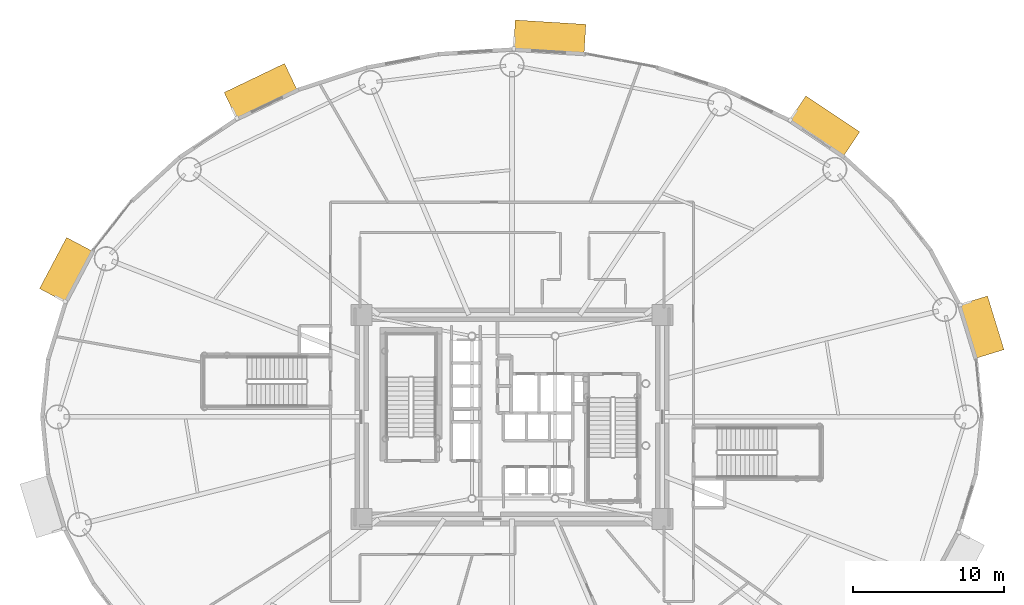
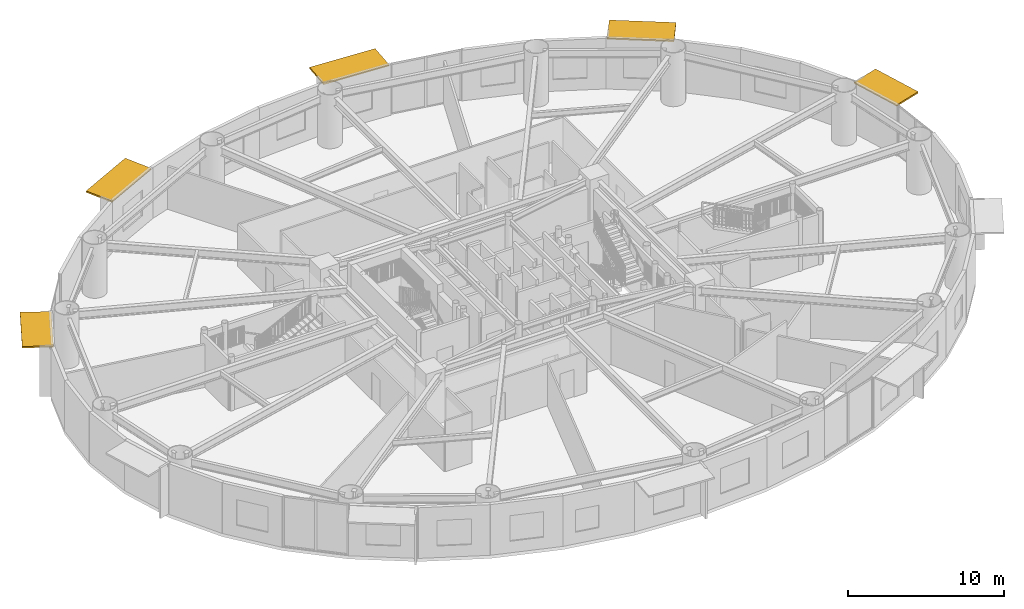
# One storey, part 28 of 28: 5 shading devices.
"""IFC4 building model written with IfcOpenShell, lengths in metres."""

from ifc_helpers import new_model, si_unit, direction, frame, origin, origin_2d, place, context, subcontext, project, spatial, rectangle, extrude, source, transform, mapped, material, layer, layer_set, type_object, element, save


model = new_model("IFC4")

# Units and contexts
model_context = context("Model", 3, precision=1e-05, world=origin(), true_north=direction((0.0, 1.0)))
body_context = subcontext(model_context, "Body", "Model", "MODEL_VIEW")
ifc_project = project(units=[si_unit("LENGTHUNIT", "METRE"), si_unit("AREAUNIT", "SQUARE_METRE"), si_unit("VOLUMEUNIT", "CUBIC_METRE"), si_unit("PLANEANGLEUNIT", "RADIAN"), si_unit("MASSUNIT", "GRAM", prefix="KILO")], contexts=[model_context])

# Site, building, storey
site_placement = place(None, origin())
site = spatial("IfcSite", under=ifc_project, at=site_placement, CompositionType="ELEMENT")
building_placement = place(site_placement, origin())
building = spatial("IfcBuilding", under=site, at=building_placement, Name="Linh Dai School and Residence Tower", CompositionType="ELEMENT")
storey_placement = place(building_placement, frame((0.0, 0.0, 36.60009765625)))
storey = spatial("IfcBuildingStorey", under=building, at=storey_placement, Name="L08", CompositionType="ELEMENT", Elevation=36.60009765625)

# Shading devices
ifc_material = material(Name="Terracotta Ceramic Sunshade", Category="masonry")
ifc_layer = layer(ifc_material, 0.1201171875)
ifc_layer_set = layer_set([ifc_layer], Name="Terracotta Ceramic Sunshade")
shading_device_type = type_object("IfcShadingDeviceType", Name="SHD-TC-2000", PredefinedType="USERDEFINED", material=ifc_layer_set)
shared_shape_1 = source(origin(), body_context, "Body", "SweptSolid", [
    extrude(rectangle(XDim=3.7197265625, YDim=2.0, at=origin_2d()), origin(), (0.0, 0.0, 1.0), 0.1201171875),
])
shading_device_1_placement = place(storey_placement, frame((67.043212890625, 32.9306640625, 3.809814453125), z_axis=(0.0, 0.0, 1.0), x_axis=(0.293145733514, -0.956067769001, 0.0)))
element("IfcShadingDevice", 1, at=shading_device_1_placement, inside=storey, type_object=shading_device_type, Name="L08 Terracotta Horizontal Sunshade Band 02", ObjectType="SUNSHADE", PredefinedType="USERDEFINED", context=body_context, shape_type="MappedRepresentation", body=[
    mapped(shared_shape_1, transform((0.0, 0.0, 0.0), x_axis=(1.0, 0.0, 0.0), y_axis=(0.0, 1.0, 0.0), z_axis=(0.0, 0.0, 1.0), scale=1.0)),
])
shared_shape_2 = source(origin(), body_context, "Body", "SweptSolid", [
    extrude(rectangle(XDim=4.28173828125, YDim=2.0, at=origin_2d()), origin(), (0.0, 0.0, 1.0), 0.1201171875),
])
shading_device_2_placement = place(storey_placement, frame((56.66455078125, 46.2138671875, 3.809814453125), z_axis=(0.0, 0.0, 1.0), x_axis=(0.831250578927, -0.555897899828, 0.0)))
element("IfcShadingDevice", 2, at=shading_device_2_placement, inside=storey, type_object=shading_device_type, Name="L08 Terracotta Horizontal Sunshade Band 06", ObjectType="SUNSHADE", PredefinedType="USERDEFINED", context=body_context, shape_type="MappedRepresentation", body=[
    mapped(shared_shape_2, transform((0.0, 0.0, 0.0), x_axis=(1.0, 0.0, 0.0), y_axis=(0.0, 1.0, 0.0), z_axis=(0.0, 0.0, 1.0), scale=1.0)),
])
shared_shape_3 = source(origin(), body_context, "Body", "SweptSolid", [
    extrude(rectangle(XDim=4.6796875, YDim=2.0, at=origin_2d()), origin(), (0.0, 0.0, 1.0), 0.1201171875),
])
shading_device_3_placement = place(storey_placement, frame((38.49169921875, 52.11328125, 3.809814453125), z_axis=(0.0, 0.0, 1.0), x_axis=(0.998106677027, -0.061506595367, 0.0)))
element("IfcShadingDevice", 3, at=shading_device_3_placement, inside=storey, type_object=shading_device_type, Name="L08 Terracotta Horizontal Sunshade Band 10", ObjectType="SUNSHADE", PredefinedType="USERDEFINED", context=body_context, shape_type="MappedRepresentation", body=[
    mapped(shared_shape_3, transform((0.0, 0.0, 0.0), x_axis=(1.0, 0.0, 0.0), y_axis=(0.0, 1.0, 0.0), z_axis=(0.0, 0.0, 1.0), scale=1.0)),
])
shared_shape_4 = source(origin(), body_context, "Body", "SweptSolid", [
    extrude(rectangle(XDim=4.428466796875, YDim=2.0, at=origin_2d()), origin(), (0.0, 0.0, 1.0), 0.1201171875),
])
shading_device_4_placement = place(storey_placement, frame((19.386962890625, 48.51904296875, 3.809814453125), z_axis=(0.0, 0.0, 1.0), x_axis=(0.901584514626, 0.432603008528, 0.0)))
element("IfcShadingDevice", 4, at=shading_device_4_placement, inside=storey, type_object=shading_device_type, Name="L08 Terracotta Horizontal Sunshade Band 14", ObjectType="SUNSHADE", PredefinedType="USERDEFINED", context=body_context, shape_type="MappedRepresentation", body=[
    mapped(shared_shape_4, transform((0.0, 0.0, 0.0), x_axis=(1.0, 0.0, 0.0), y_axis=(0.0, 1.0, 0.0), z_axis=(0.0, 0.0, 1.0), scale=1.0)),
])
shared_shape_5 = source(origin(), body_context, "Body", "SweptSolid", [
    extrude(rectangle(XDim=3.824462890625, YDim=2.0, at=origin_2d()), origin(), (0.0, 0.0, 1.0), 0.1201171875),
])
shading_device_5_placement = place(storey_placement, frame((6.525390625, 36.7109375, 3.809814453125), z_axis=(0.0, 0.0, 1.0), x_axis=(0.467611940042, 0.883933862645, 0.0)))
element("IfcShadingDevice", 5, at=shading_device_5_placement, inside=storey, type_object=shading_device_type, Name="L08 Terracotta Horizontal Sunshade Band 18", ObjectType="SUNSHADE", PredefinedType="USERDEFINED", context=body_context, shape_type="MappedRepresentation", body=[
    mapped(shared_shape_5, transform((0.0, 0.0, 0.0), x_axis=(1.0, 0.0, 0.0), y_axis=(0.0, 1.0, 0.0), z_axis=(0.0, 0.0, 1.0), scale=1.0)),
])

save(model, "model.ifc")
